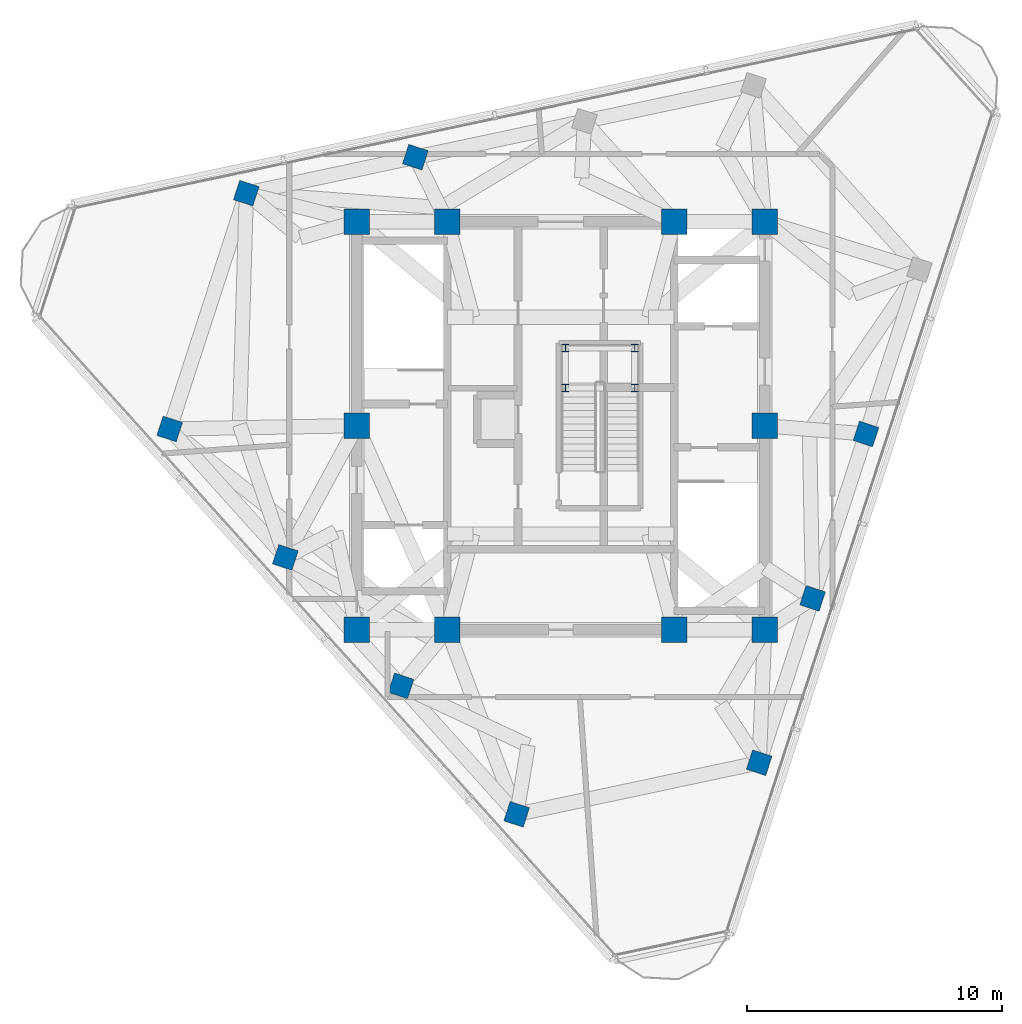
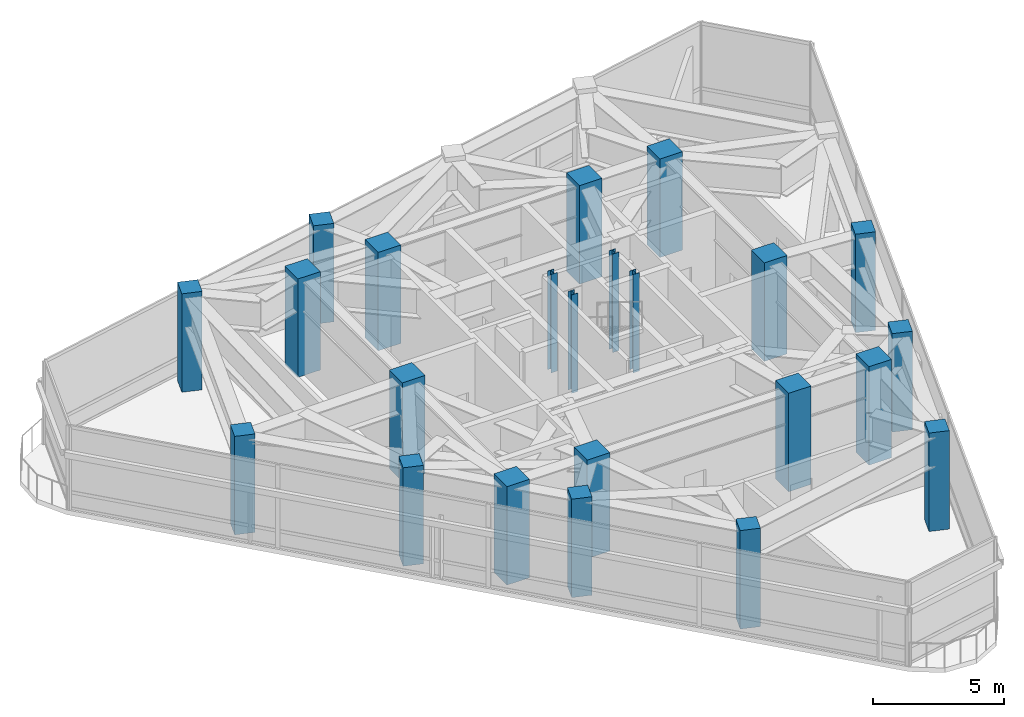
# One storey, part 1 of 11: 23 columns.
"""IFC4 building model written with IfcOpenShell, lengths in metres."""

from ifc_helpers import new_model, si_unit, direction, frame, origin, origin_2d, place, context, subcontext, project, spatial, rectangle, i_section, extrude, material, material_profile, profile_set, type_object, element, save


model = new_model("IFC4")

# Units and contexts
model_context = context("Model", 3, precision=1e-05, world=origin(), true_north=direction((0.0, 1.0)))
body_context = subcontext(model_context, "Body", "Model", "MODEL_VIEW")
ifc_project = project(units=[si_unit("LENGTHUNIT", "METRE"), si_unit("AREAUNIT", "SQUARE_METRE"), si_unit("VOLUMEUNIT", "CUBIC_METRE"), si_unit("PLANEANGLEUNIT", "RADIAN"), si_unit("MASSUNIT", "GRAM", prefix="KILO")], contexts=[model_context])

# Site, building, storey
site_placement = place(None, origin())
site = spatial("IfcSite", under=ifc_project, at=site_placement, CompositionType="ELEMENT")
building_placement = place(site_placement, origin())
building = spatial("IfcBuilding", under=site, at=building_placement, Name="Terralouvre Media Tower", CompositionType="ELEMENT")
storey_placement = place(building_placement, frame((0.0, 0.0, 322.0)))
storey = spatial("IfcBuildingStorey", under=building, at=storey_placement, Name="L83", CompositionType="ELEMENT", Elevation=322.0)

# Columns
ifc_material_1 = material(Name="Structural steel S355J2", Category="steel")
ifc_material_profile_1 = material_profile(ifc_material_1, i_section(OverallWidth=0.280029296875, OverallDepth=0.280029296875, WebThickness=0.010498046875, FlangeThickness=0.01806640625, at=origin_2d()), Name="HEB 280")
ifc_profile_set_1 = profile_set([ifc_material_profile_1], Name="Structural steel S355J2")
column_type_1 = type_object("IfcColumnType", Name="Basement Aisle Pilaster PL-HEB280 (HEB 280)", PredefinedType="PILASTER", material=ifc_profile_set_1)
for number, where, z_axis, x_axis, name in (
    (1, (0.179931640625, 1.47998046875, 0.0), (0.0, 0.0, 1.0), (1.0, 0.0, 0.0), "L83 Crown Stair Landing Post ST5LP1"),
    (2, (2.89990234375, 1.47998046875, 0.0), (0.0, 0.0, 1.0), (1.0, 0.0, 0.0), "L83 Crown Stair Landing Post ST5LP2"),
    (3, (0.179931640625, 3.050048828125, 0.0), (0.0, 0.0, 1.0), (1.0, 0.0, 0.0), "L83 Crown Stair Landing Post ST5LP3"),
    (4, (2.89990234375, 3.050048828125, 0.0), (0.0, 0.0, 1.0), (1.0, 0.0, 0.0), "L83 Crown Stair Landing Post ST5LP4"),
):
    element("IfcColumn", number, at=place(storey_placement, frame(where, z_axis=z_axis, x_axis=x_axis)), inside=storey, type_object=column_type_1, Name=name, PredefinedType="PILASTER", context=body_context, shape_type="SweptSolid", body=[
        extrude(i_section(OverallWidth=0.280029296875, OverallDepth=0.280029296875, WebThickness=0.010498046875, FlangeThickness=0.01806640625, at=origin_2d()), origin(), (0.0, 0.0, 1.0), 4.60009765625),
    ])
ifc_material_2 = material(Name="Concrete C50/60", Category="concrete")
ifc_material_profile_2 = material_profile(ifc_material_2, rectangle(XDim=1.0, YDim=1.0, at=origin_2d()), Name="RC 1000x1000")
ifc_profile_set_2 = profile_set([ifc_material_profile_2], Name="Concrete C50/60")
column_type_2 = type_object("IfcColumnType", Name="Structural Column C-RC1000 (RC 1000x1000)", PredefinedType="COLUMN", material=ifc_profile_set_2)
for number, where, z_axis, x_axis, name in (
    (5, (-8.0, -8.0, 0.0), (0.0, 0.0, 1.0), (1.0, 0.0, 0.0), "L83 Core Pilaster Column CP1"),
    (6, (-4.449951171875, -8.0, 0.0), (0.0, 0.0, 1.0), (1.0, 0.0, 0.0), "L83 Core Pilaster Column CP2"),
    (7, (4.449951171875, -8.0, 0.0), (0.0, 0.0, 1.0), (1.0, 0.0, 0.0), "L83 Core Pilaster Column CP10"),
    (8, (8.0, -8.0, 0.0), (0.0, 0.0, 1.0), (1.0, 0.0, 0.0), "L83 Core Pilaster Column CP3"),
    (9, (8.0, 0.0, 0.0), (0.0, 0.0, 1.0), (1.0, 0.0, 0.0), "L83 Core Pilaster Column CP4"),
    (10, (8.0, 8.0, 0.0), (0.0, 0.0, 1.0), (1.0, 0.0, 0.0), "L83 Core Pilaster Column CP5"),
    (11, (4.449951171875, 8.0, 0.0), (0.0, 0.0, 1.0), (1.0, 0.0, 0.0), "L83 Core Pilaster Column CP9"),
    (12, (-4.449951171875, 8.0, 0.0), (0.0, 0.0, 1.0), (1.0, 0.0, 0.0), "L83 Core Pilaster Column CP6"),
    (13, (-8.0, 8.0, 0.0), (0.0, 0.0, 1.0), (1.0, 0.0, 0.0), "L83 Core Pilaster Column CP7"),
    (14, (-8.0, 0.0, 0.0), (0.0, 0.0, 1.0), (1.0, 0.0, 0.0), "L83 Core Pilaster Column CP8"),
):
    element("IfcColumn", number, at=place(storey_placement, frame(where, z_axis=z_axis, x_axis=x_axis)), inside=storey, type_object=column_type_2, Name=name, PredefinedType="COLUMN", context=body_context, shape_type="SweptSolid", body=[
        extrude(rectangle(XDim=1.0, YDim=1.0, at=origin_2d()), origin(), (0.0, 0.0, 1.0), 4.60009765625),
    ])
ifc_material_3 = material(Name="Concrete C50/60", Category="concrete")
ifc_material_profile_3 = material_profile(ifc_material_3, rectangle(XDim=0.800048828125, YDim=0.800048828125, at=origin_2d()), Name="RC 800x800")
ifc_profile_set_3 = profile_set([ifc_material_profile_3], Name="Concrete C50/60")
column_type_3 = type_object("IfcColumnType", Name="Structural Column C-RC800 (RC 800x800)", PredefinedType="COLUMN", material=ifc_profile_set_3)
for number, where, z_axis, x_axis, name in (
    (15, (7.78125, -13.2216796875, 0.0), (0.0, 0.0, 1.0), (0.309016994375, 0.951056516295, 0.0), "L83 Perimeter Mega-Column PC11"),
    (16, (9.87646484375, -6.7734375, 0.0), (0.0, 0.0, 1.0), (0.309016994375, 0.951056516295, 0.0), "L83 Perimeter Mega-Column PC12"),
    (17, (11.971435546875, -0.3251953125, 0.0), (0.0, 0.0, 1.0), (0.309016994375, 0.951056516295, 0.0), "L83 Perimeter Mega-Column PC13"),
    (18, (-5.7041015625, 10.5302734375, 0.0), (0.0, 0.0, 1.0), (0.309016994375, 0.951056516295, 0.0), "L83 Perimeter Mega-Column PC23"),
    (19, (-12.3359375, 9.12060546875, 0.0), (0.0, 0.0, 1.0), (0.309016994375, 0.951056516295, 0.0), "L83 Perimeter Mega-Column PC24"),
    (20, (-15.3408203125, -0.1279296875, 0.0), (0.0, 0.0, 1.0), (0.309016994375, 0.951056516295, 0.0), "L83 Perimeter Mega-Column PC31"),
    (21, (-10.80419921875, -5.16650390625, 0.0), (0.0, 0.0, 1.0), (0.309016994375, 0.951056516295, 0.0), "L83 Perimeter Mega-Column PC32"),
    (22, (-6.267578125, -10.205078125, 0.0), (0.0, 0.0, 1.0), (0.309016994375, 0.951056516295, 0.0), "L83 Perimeter Mega-Column PC33"),
    (23, (-1.730712890625, -15.243408203125, 0.0), (0.0, 0.0, 1.0), (0.309016994375, 0.951056516295, 0.0), "L83 Perimeter Mega-Column PC34"),
):
    element("IfcColumn", number, at=place(storey_placement, frame(where, z_axis=z_axis, x_axis=x_axis)), inside=storey, type_object=column_type_3, Name=name, PredefinedType="COLUMN", context=body_context, shape_type="SweptSolid", body=[
        extrude(rectangle(XDim=0.800048828125, YDim=0.800048828125, at=origin_2d()), origin(), (0.0, 0.0, 1.0), 4.60009765625),
    ])

save(model, "model.ifc")
